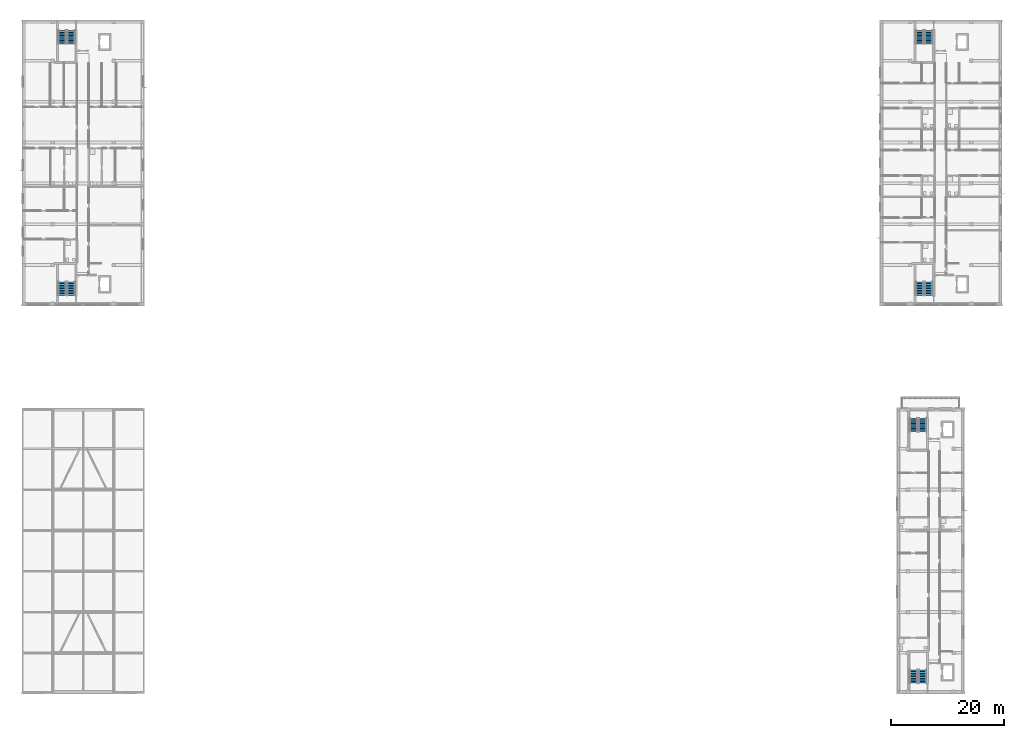
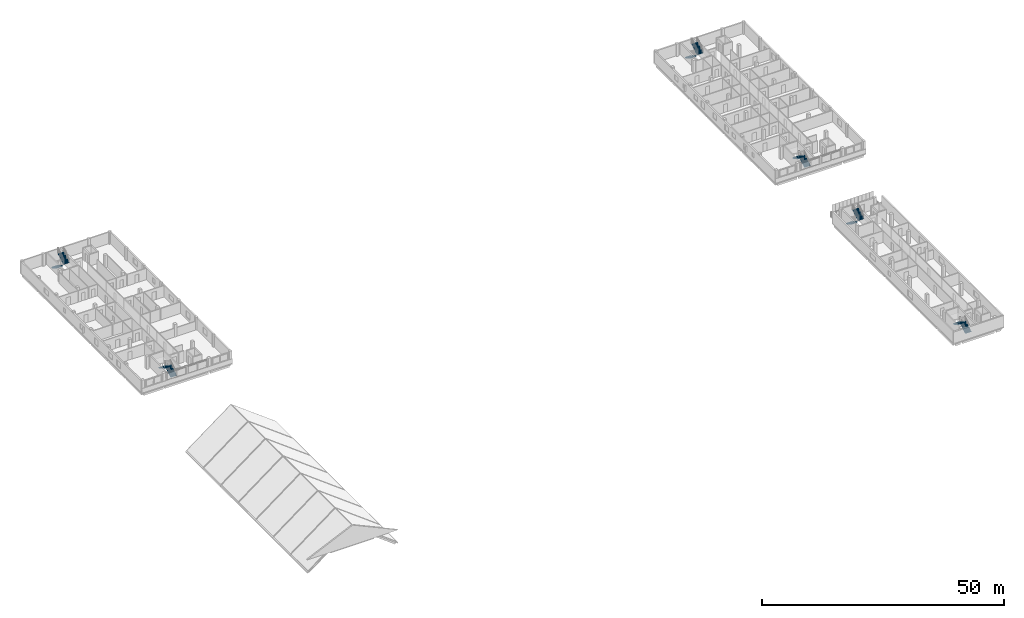
# One storey, part 20 of 35: 12 stair flights, 6 elements without a shape of their own.
"""IFC4 building model written with IfcOpenShell, lengths in metres."""

from ifc_helpers import new_model, si_unit, derived_unit, direction, frame, origin, place, context, subcontext, project, spatial, polyline, outline, extrude, material, type_object, element, aggregate, save


model = new_model("IFC4")

# Units and contexts
model_context = context("Model", 3, precision=1e-05, world=origin(), true_north=direction((0.0, 1.0)))
body_context = subcontext(model_context, "Body", "Model", "MODEL_VIEW")
ifc_project = project(units=[si_unit("LENGTHUNIT", "METRE"), si_unit("AREAUNIT", "SQUARE_METRE"), si_unit("VOLUMEUNIT", "CUBIC_METRE"), si_unit("PLANEANGLEUNIT", "RADIAN"), si_unit("MASSUNIT", "GRAM", prefix="KILO"), derived_unit("THERMALTRANSMITTANCEUNIT", [(si_unit("MASSUNIT", "GRAM", prefix="KILO"), 1), (si_unit("TIMEUNIT", "SECOND"), -3), (si_unit("THERMODYNAMICTEMPERATUREUNIT", "KELVIN"), -1)])], contexts=[model_context])

# Site, building, storey
site_placement = place(None, origin())
site = spatial("IfcSite", under=ifc_project, at=site_placement, CompositionType="ELEMENT")
building_placement = place(site_placement, origin())
building = spatial("IfcBuilding", under=site, at=building_placement, Name="Ochrekiln Boulevard Commons", CompositionType="ELEMENT")
storey_placement = place(building_placement, frame((0.0, 0.0, 30.97509765625)))
storey = spatial("IfcBuildingStorey", under=building, at=storey_placement, Name="L09", CompositionType="ELEMENT", Elevation=30.97509765625)

# Stair, stair flights
ifc_material = material(Name="Concrete C35/45", Category="concrete")
stair_type = type_object("IfcStairType", Name="STR-DL-315", PredefinedType="TWO_STRAIGHT_RUN_STAIR", material=ifc_material)
stair_1_placement = place(storey_placement, origin())
stair_1 = element("IfcStair", 1, at=stair_1_placement, inside=storey, type_object=stair_type, Name="L09 Enclosed Exit Stair ST-A1", PredefinedType="TWO_STRAIGHT_RUN_STAIR")
stair_flight_type = type_object("IfcStairFlightType", Name="SFL-ST-315", PredefinedType="STRAIGHT", material=ifc_material)
stair_flight_1_placement = place(storey_placement, frame((8.699951171875, 70.27001953125, 0.0), z_axis=(0.0, 0.0, 1.0), x_axis=(0.0, 1.0, 0.0)))
stair_flight_1 = element("IfcStairFlight", 2, at=stair_flight_1_placement, type_object=stair_flight_type, Name="ST-A1 flight 1", NumberOfRisers=9, NumberOfTreads=8, PredefinedType="STRAIGHT", RiserHeight=0.175, TreadLength=0.29, context=body_context, shape_type="SweptSolid", body=[
    extrude(outline(polyline([(0.0, 0.0), (0.0, 0.175048828125), (0.2900390625, 0.175048828125), (0.2900390625, 0.35009765625), (0.580078125, 0.35009765625), (0.580078125, 0.52490234375), (0.8701171875, 0.52490234375), (0.8701171875, 0.699951171875), (1.159912109375, 0.699951171875), (1.159912109375, 0.875), (1.449951171875, 0.875), (1.449951171875, 1.050048828125), (1.739990234375, 1.050048828125), (1.739990234375, 1.22509765625), (2.030029296875, 1.22509765625), (2.030029296875, 1.39990234375), (2.320068359375, 1.39990234375), (2.320068359375, 1.574951171875), (2.320068359375, 1.213134765625), (0.3095703125, 0.0), (0.0, 0.0)])), frame((0.0, 0.699951171875, 0.0), z_axis=(0.0, -1.0, 0.0), x_axis=(1.0, 0.0, 0.0)), (0.0, 0.0, 1.0), 1.39990234375),
])
stair_flight_2_placement = place(storey_placement, frame((7.10009765625, 72.590087890625, 1.574951171875), z_axis=(0.0, 0.0, 1.0), x_axis=(0.0, -1.0, 0.0)))
stair_flight_2 = element("IfcStairFlight", 3, at=stair_flight_2_placement, type_object=stair_flight_type, Name="ST-A1 flight 2", NumberOfRisers=9, NumberOfTreads=8, PredefinedType="STRAIGHT", RiserHeight=0.175, TreadLength=0.29, context=body_context, shape_type="SweptSolid", body=[
    extrude(outline(polyline([(0.0, 0.0), (0.0, 0.175048828125), (0.2900390625, 0.175048828125), (0.2900390625, 0.35009765625), (0.580078125, 0.35009765625), (0.580078125, 0.52490234375), (0.8701171875, 0.52490234375), (0.8701171875, 0.699951171875), (1.159912109375, 0.699951171875), (1.159912109375, 0.875), (1.449951171875, 0.875), (1.449951171875, 1.050048828125), (1.739990234375, 1.050048828125), (1.739990234375, 1.22509765625), (2.030029296875, 1.22509765625), (2.030029296875, 1.39990234375), (2.320068359375, 1.39990234375), (2.320068359375, 1.574951171875), (2.320068359375, 1.213134765625), (0.3095703125, 0.0), (0.0, 0.0)])), frame((0.0, 0.699951171875, 0.0), z_axis=(0.0, -1.0, 0.0), x_axis=(1.0, 0.0, 0.0)), (0.0, 0.0, 1.0), 1.39990234375),
])
aggregate(stair_1, [stair_flight_1, stair_flight_2])

stair_2_placement = place(storey_placement, origin())
stair_2 = element("IfcStair", 4, at=stair_2_placement, inside=storey, type_object=stair_type, Name="L09 Enclosed Exit Stair ST-A2", PredefinedType="TWO_STRAIGHT_RUN_STAIR")
stair_flight_3_placement = place(storey_placement, frame((7.10009765625, 116.929931640625, 0.0), z_axis=(0.0, 0.0, 1.0), x_axis=(0.0, -1.0, 0.0)))
stair_flight_3 = element("IfcStairFlight", 5, at=stair_flight_3_placement, type_object=stair_flight_type, Name="ST-A2 flight 1", NumberOfRisers=9, NumberOfTreads=8, PredefinedType="STRAIGHT", RiserHeight=0.175, TreadLength=0.29, context=body_context, shape_type="SweptSolid", body=[
    extrude(outline(polyline([(0.0, 0.0), (0.0, 0.175048828125), (0.2900390625, 0.175048828125), (0.2900390625, 0.35009765625), (0.580078125, 0.35009765625), (0.580078125, 0.52490234375), (0.8701171875, 0.52490234375), (0.8701171875, 0.699951171875), (1.159912109375, 0.699951171875), (1.159912109375, 0.875), (1.449951171875, 0.875), (1.449951171875, 1.050048828125), (1.739990234375, 1.050048828125), (1.739990234375, 1.22509765625), (2.030029296875, 1.22509765625), (2.030029296875, 1.39990234375), (2.320068359375, 1.39990234375), (2.320068359375, 1.574951171875), (2.320068359375, 1.213134765625), (0.3095703125, 0.0), (0.0, 0.0)])), frame((0.0, 0.699951171875, 0.0), z_axis=(0.0, -1.0, 0.0), x_axis=(1.0, 0.0, 0.0)), (0.0, 0.0, 1.0), 1.39990234375),
])
stair_flight_4_placement = place(storey_placement, frame((8.699951171875, 114.610107421875, 1.574951171875), z_axis=(0.0, 0.0, 1.0), x_axis=(0.0, 1.0, 0.0)))
stair_flight_4 = element("IfcStairFlight", 6, at=stair_flight_4_placement, type_object=stair_flight_type, Name="ST-A2 flight 2", NumberOfRisers=9, NumberOfTreads=8, PredefinedType="STRAIGHT", RiserHeight=0.175, TreadLength=0.29, context=body_context, shape_type="SweptSolid", body=[
    extrude(outline(polyline([(0.0, 0.0), (0.0, 0.175048828125), (0.2900390625, 0.175048828125), (0.2900390625, 0.35009765625), (0.580078125, 0.35009765625), (0.580078125, 0.52490234375), (0.8701171875, 0.52490234375), (0.8701171875, 0.699951171875), (1.159912109375, 0.699951171875), (1.159912109375, 0.875), (1.449951171875, 0.875), (1.449951171875, 1.050048828125), (1.739990234375, 1.050048828125), (1.739990234375, 1.22509765625), (2.030029296875, 1.22509765625), (2.030029296875, 1.39990234375), (2.320068359375, 1.39990234375), (2.320068359375, 1.574951171875), (2.320068359375, 1.213134765625), (0.3095703125, 0.0), (0.0, 0.0)])), frame((0.0, 0.699951171875, 0.0), z_axis=(0.0, -1.0, 0.0), x_axis=(1.0, 0.0, 0.0)), (0.0, 0.0, 1.0), 1.39990234375),
])
aggregate(stair_2, [stair_flight_3, stair_flight_4])

stair_3_placement = place(storey_placement, origin())
stair_3 = element("IfcStair", 7, at=stair_3_placement, inside=storey, type_object=stair_type, Name="L09 Enclosed Exit Stair ST-B1", PredefinedType="TWO_STRAIGHT_RUN_STAIR")
stair_flight_5_placement = place(storey_placement, frame((159.89990234375, 70.27001953125, 0.0), z_axis=(0.0, 0.0, 1.0), x_axis=(0.0, 1.0, 0.0)))
stair_flight_5 = element("IfcStairFlight", 8, at=stair_flight_5_placement, type_object=stair_flight_type, Name="ST-B1 flight 1", NumberOfRisers=9, NumberOfTreads=8, PredefinedType="STRAIGHT", RiserHeight=0.175, TreadLength=0.29, context=body_context, shape_type="SweptSolid", body=[
    extrude(outline(polyline([(0.0, 0.0), (0.0, 0.175048828125), (0.2900390625, 0.175048828125), (0.2900390625, 0.35009765625), (0.580078125, 0.35009765625), (0.580078125, 0.52490234375), (0.8701171875, 0.52490234375), (0.8701171875, 0.699951171875), (1.159912109375, 0.699951171875), (1.159912109375, 0.875), (1.449951171875, 0.875), (1.449951171875, 1.050048828125), (1.739990234375, 1.050048828125), (1.739990234375, 1.22509765625), (2.030029296875, 1.22509765625), (2.030029296875, 1.39990234375), (2.320068359375, 1.39990234375), (2.320068359375, 1.574951171875), (2.320068359375, 1.213134765625), (0.3095703125, 0.0), (0.0, 0.0)])), frame((0.0, 0.699951171875, 0.0), z_axis=(0.0, -1.0, 0.0), x_axis=(1.0, 0.0, 0.0)), (0.0, 0.0, 1.0), 1.39990234375),
])
stair_flight_6_placement = place(storey_placement, frame((158.300048828125, 72.590087890625, 1.574951171875), z_axis=(0.0, 0.0, 1.0), x_axis=(0.0, -1.0, 0.0)))
stair_flight_6 = element("IfcStairFlight", 9, at=stair_flight_6_placement, type_object=stair_flight_type, Name="ST-B1 flight 2", NumberOfRisers=9, NumberOfTreads=8, PredefinedType="STRAIGHT", RiserHeight=0.175, TreadLength=0.29, context=body_context, shape_type="SweptSolid", body=[
    extrude(outline(polyline([(0.0, 0.0), (0.0, 0.175048828125), (0.2900390625, 0.175048828125), (0.2900390625, 0.35009765625), (0.580078125, 0.35009765625), (0.580078125, 0.52490234375), (0.8701171875, 0.52490234375), (0.8701171875, 0.699951171875), (1.159912109375, 0.699951171875), (1.159912109375, 0.875), (1.449951171875, 0.875), (1.449951171875, 1.050048828125), (1.739990234375, 1.050048828125), (1.739990234375, 1.22509765625), (2.030029296875, 1.22509765625), (2.030029296875, 1.39990234375), (2.320068359375, 1.39990234375), (2.320068359375, 1.574951171875), (2.320068359375, 1.213134765625), (0.3095703125, 0.0), (0.0, 0.0)])), frame((0.0, 0.699951171875, 0.0), z_axis=(0.0, -1.0, 0.0), x_axis=(1.0, 0.0, 0.0)), (0.0, 0.0, 1.0), 1.39990234375),
])
aggregate(stair_3, [stair_flight_5, stair_flight_6])

stair_4_placement = place(storey_placement, origin())
stair_4 = element("IfcStair", 10, at=stair_4_placement, inside=storey, type_object=stair_type, Name="L09 Enclosed Exit Stair ST-B2", PredefinedType="TWO_STRAIGHT_RUN_STAIR")
stair_flight_7_placement = place(storey_placement, frame((158.300048828125, 116.929931640625, 0.0), z_axis=(0.0, 0.0, 1.0), x_axis=(0.0, -1.0, 0.0)))
stair_flight_7 = element("IfcStairFlight", 11, at=stair_flight_7_placement, type_object=stair_flight_type, Name="ST-B2 flight 1", NumberOfRisers=9, NumberOfTreads=8, PredefinedType="STRAIGHT", RiserHeight=0.175, TreadLength=0.29, context=body_context, shape_type="SweptSolid", body=[
    extrude(outline(polyline([(0.0, 0.0), (0.0, 0.175048828125), (0.2900390625, 0.175048828125), (0.2900390625, 0.35009765625), (0.580078125, 0.35009765625), (0.580078125, 0.52490234375), (0.8701171875, 0.52490234375), (0.8701171875, 0.699951171875), (1.159912109375, 0.699951171875), (1.159912109375, 0.875), (1.449951171875, 0.875), (1.449951171875, 1.050048828125), (1.739990234375, 1.050048828125), (1.739990234375, 1.22509765625), (2.030029296875, 1.22509765625), (2.030029296875, 1.39990234375), (2.320068359375, 1.39990234375), (2.320068359375, 1.574951171875), (2.320068359375, 1.213134765625), (0.3095703125, 0.0), (0.0, 0.0)])), frame((0.0, 0.699951171875, 0.0), z_axis=(0.0, -1.0, 0.0), x_axis=(1.0, 0.0, 0.0)), (0.0, 0.0, 1.0), 1.39990234375),
])
stair_flight_8_placement = place(storey_placement, frame((159.89990234375, 114.610107421875, 1.574951171875), z_axis=(0.0, 0.0, 1.0), x_axis=(0.0, 1.0, 0.0)))
stair_flight_8 = element("IfcStairFlight", 12, at=stair_flight_8_placement, type_object=stair_flight_type, Name="ST-B2 flight 2", NumberOfRisers=9, NumberOfTreads=8, PredefinedType="STRAIGHT", RiserHeight=0.175, TreadLength=0.29, context=body_context, shape_type="SweptSolid", body=[
    extrude(outline(polyline([(0.0, 0.0), (0.0, 0.175048828125), (0.2900390625, 0.175048828125), (0.2900390625, 0.35009765625), (0.580078125, 0.35009765625), (0.580078125, 0.52490234375), (0.8701171875, 0.52490234375), (0.8701171875, 0.699951171875), (1.159912109375, 0.699951171875), (1.159912109375, 0.875), (1.449951171875, 0.875), (1.449951171875, 1.050048828125), (1.739990234375, 1.050048828125), (1.739990234375, 1.22509765625), (2.030029296875, 1.22509765625), (2.030029296875, 1.39990234375), (2.320068359375, 1.39990234375), (2.320068359375, 1.574951171875), (2.320068359375, 1.213134765625), (0.3095703125, 0.0), (0.0, 0.0)])), frame((0.0, 0.699951171875, 0.0), z_axis=(0.0, -1.0, 0.0), x_axis=(1.0, 0.0, 0.0)), (0.0, 0.0, 1.0), 1.39990234375),
])
aggregate(stair_4, [stair_flight_7, stair_flight_8])

stair_5_placement = place(storey_placement, origin())
stair_5 = element("IfcStair", 13, at=stair_5_placement, inside=storey, type_object=stair_type, Name="L09 Enclosed Exit Stair ST-C1", PredefinedType="TWO_STRAIGHT_RUN_STAIR")
stair_flight_9_placement = place(storey_placement, frame((158.800048828125, 1.8701171875, 0.0), z_axis=(0.0, 0.0, 1.0), x_axis=(0.0, 1.0, 0.0)))
stair_flight_9 = element("IfcStairFlight", 14, at=stair_flight_9_placement, type_object=stair_flight_type, Name="ST-C1 flight 1", NumberOfRisers=9, NumberOfTreads=8, PredefinedType="STRAIGHT", RiserHeight=0.175, TreadLength=0.29, context=body_context, shape_type="SweptSolid", body=[
    extrude(outline(polyline([(0.0, 0.0), (0.0, 0.175048828125), (0.2900390625, 0.175048828125), (0.2900390625, 0.35009765625), (0.580078125, 0.35009765625), (0.580078125, 0.52490234375), (0.8701171875, 0.52490234375), (0.8701171875, 0.699951171875), (1.159912109375, 0.699951171875), (1.159912109375, 0.875), (1.449951171875, 0.875), (1.449951171875, 1.050048828125), (1.739990234375, 1.050048828125), (1.739990234375, 1.22509765625), (2.030029296875, 1.22509765625), (2.030029296875, 1.39990234375), (2.320068359375, 1.39990234375), (2.320068359375, 1.574951171875), (2.320068359375, 1.213134765625), (0.3095703125, 0.0), (0.0, 0.0)])), frame((0.0, 0.699951171875, 0.0), z_axis=(0.0, -1.0, 0.0), x_axis=(1.0, 0.0, 0.0)), (0.0, 0.0, 1.0), 1.39990234375),
])
stair_flight_10_placement = place(storey_placement, frame((157.199951171875, 4.18994140625, 1.574951171875), z_axis=(0.0, 0.0, 1.0), x_axis=(0.0, -1.0, 0.0)))
stair_flight_10 = element("IfcStairFlight", 15, at=stair_flight_10_placement, type_object=stair_flight_type, Name="ST-C1 flight 2", NumberOfRisers=9, NumberOfTreads=8, PredefinedType="STRAIGHT", RiserHeight=0.175, TreadLength=0.29, context=body_context, shape_type="SweptSolid", body=[
    extrude(outline(polyline([(0.0, 0.0), (0.0, 0.175048828125), (0.2900390625, 0.175048828125), (0.2900390625, 0.35009765625), (0.580078125, 0.35009765625), (0.580078125, 0.52490234375), (0.8701171875, 0.52490234375), (0.8701171875, 0.699951171875), (1.159912109375, 0.699951171875), (1.159912109375, 0.875), (1.449951171875, 0.875), (1.449951171875, 1.050048828125), (1.739990234375, 1.050048828125), (1.739990234375, 1.22509765625), (2.030029296875, 1.22509765625), (2.030029296875, 1.39990234375), (2.320068359375, 1.39990234375), (2.320068359375, 1.574951171875), (2.320068359375, 1.213134765625), (0.3095703125, 0.0), (0.0, 0.0)])), frame((0.0, 0.699951171875, 0.0), z_axis=(0.0, -1.0, 0.0), x_axis=(1.0, 0.0, 0.0)), (0.0, 0.0, 1.0), 1.39990234375),
])
aggregate(stair_5, [stair_flight_9, stair_flight_10])

stair_6_placement = place(storey_placement, origin())
stair_6 = element("IfcStair", 16, at=stair_6_placement, inside=storey, type_object=stair_type, Name="L09 Enclosed Exit Stair ST-C2", PredefinedType="TWO_STRAIGHT_RUN_STAIR")
stair_flight_11_placement = place(storey_placement, frame((157.199951171875, 48.530029296875, 0.0), z_axis=(0.0, 0.0, 1.0), x_axis=(0.0, -1.0, 0.0)))
stair_flight_11 = element("IfcStairFlight", 17, at=stair_flight_11_placement, type_object=stair_flight_type, Name="ST-C2 flight 1", NumberOfRisers=9, NumberOfTreads=8, PredefinedType="STRAIGHT", RiserHeight=0.175, TreadLength=0.29, context=body_context, shape_type="SweptSolid", body=[
    extrude(outline(polyline([(0.0, 0.0), (0.0, 0.175048828125), (0.2900390625, 0.175048828125), (0.2900390625, 0.35009765625), (0.580078125, 0.35009765625), (0.580078125, 0.52490234375), (0.8701171875, 0.52490234375), (0.8701171875, 0.699951171875), (1.159912109375, 0.699951171875), (1.159912109375, 0.875), (1.449951171875, 0.875), (1.449951171875, 1.050048828125), (1.739990234375, 1.050048828125), (1.739990234375, 1.22509765625), (2.030029296875, 1.22509765625), (2.030029296875, 1.39990234375), (2.320068359375, 1.39990234375), (2.320068359375, 1.574951171875), (2.320068359375, 1.213134765625), (0.3095703125, 0.0), (0.0, 0.0)])), frame((0.0, 0.699951171875, 0.0), z_axis=(0.0, -1.0, 0.0), x_axis=(1.0, 0.0, 0.0)), (0.0, 0.0, 1.0), 1.39990234375),
])
stair_flight_12_placement = place(storey_placement, frame((158.800048828125, 46.2099609375, 1.574951171875), z_axis=(0.0, 0.0, 1.0), x_axis=(0.0, 1.0, 0.0)))
stair_flight_12 = element("IfcStairFlight", 18, at=stair_flight_12_placement, type_object=stair_flight_type, Name="ST-C2 flight 2", NumberOfRisers=9, NumberOfTreads=8, PredefinedType="STRAIGHT", RiserHeight=0.175, TreadLength=0.29, context=body_context, shape_type="SweptSolid", body=[
    extrude(outline(polyline([(0.0, 0.0), (0.0, 0.175048828125), (0.2900390625, 0.175048828125), (0.2900390625, 0.35009765625), (0.580078125, 0.35009765625), (0.580078125, 0.52490234375), (0.8701171875, 0.52490234375), (0.8701171875, 0.699951171875), (1.159912109375, 0.699951171875), (1.159912109375, 0.875), (1.449951171875, 0.875), (1.449951171875, 1.050048828125), (1.739990234375, 1.050048828125), (1.739990234375, 1.22509765625), (2.030029296875, 1.22509765625), (2.030029296875, 1.39990234375), (2.320068359375, 1.39990234375), (2.320068359375, 1.574951171875), (2.320068359375, 1.213134765625), (0.3095703125, 0.0), (0.0, 0.0)])), frame((0.0, 0.699951171875, 0.0), z_axis=(0.0, -1.0, 0.0), x_axis=(1.0, 0.0, 0.0)), (0.0, 0.0, 1.0), 1.39990234375),
])
aggregate(stair_6, [stair_flight_11, stair_flight_12])

save(model, "model.ifc")
